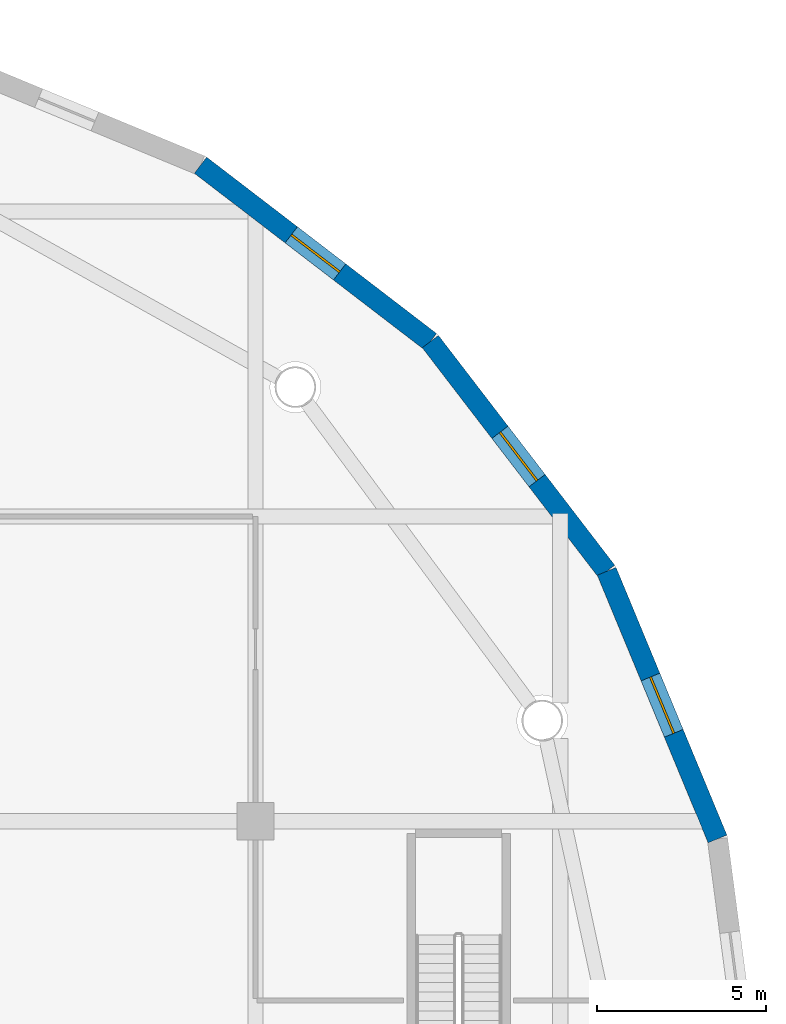
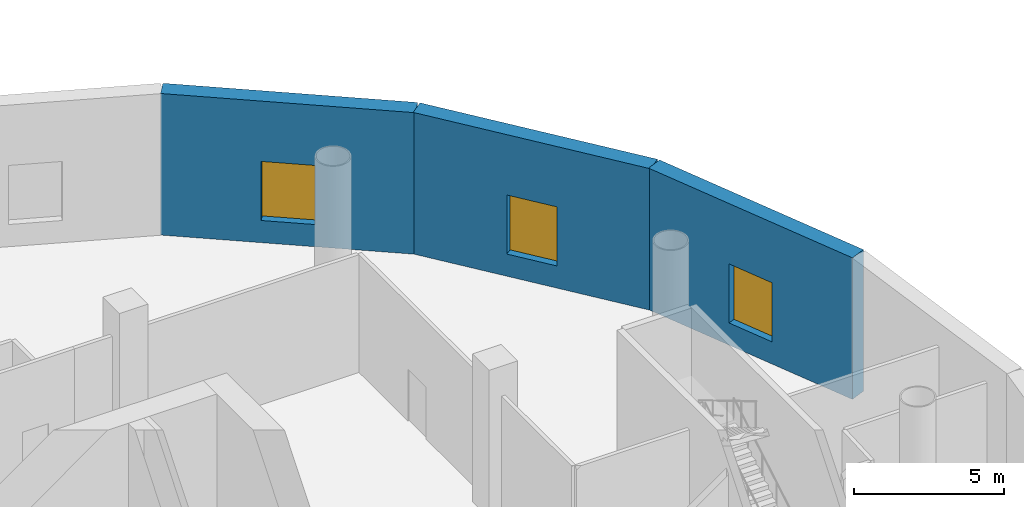
# One storey, part 11 of 24: 3 walls, 3 windows, 3 openings.
"""IFC4 building model written with IfcOpenShell, lengths in metres."""

from ifc_helpers import new_model, si_unit, direction, frame, frame_2d, origin, place, context, subcontext, project, spatial, rectangle, extrude, material, layer, layer_set, type_object, element, fill, save


model = new_model("IFC4")

# Units and contexts
model_context = context("Model", 3, precision=1e-05, world=origin(), true_north=direction((0.0, 1.0)))
body_context = subcontext(model_context, "Body", "Model", "MODEL_VIEW")
ifc_project = project(units=[si_unit("LENGTHUNIT", "METRE"), si_unit("AREAUNIT", "SQUARE_METRE"), si_unit("VOLUMEUNIT", "CUBIC_METRE"), si_unit("PLANEANGLEUNIT", "RADIAN"), si_unit("MASSUNIT", "GRAM", prefix="KILO")], contexts=[model_context])

# Site, building, storey
site_placement = place(None, origin())
site = spatial("IfcSite", under=ifc_project, at=site_placement, CompositionType="ELEMENT")
building_placement = place(site_placement, origin())
building = spatial("IfcBuilding", under=site, at=building_placement, Name="Tarsis Ring Headquarters", CompositionType="ELEMENT")
storey_placement = place(building_placement, frame((0.0, 0.0, 8.0)))
storey = spatial("IfcBuildingStorey", under=building, at=storey_placement, Name="L01", CompositionType="ELEMENT", Elevation=8.0)

# Wall, opening, window
ifc_material_1 = material(Name="Concrete C60/75", Category="concrete")
ifc_layer = layer(ifc_material_1, 0.60009765625)
ifc_layer_set = layer_set([ifc_layer], Name="PO-W600")
wall_type = type_object("IfcWallType", Name="PO-W600", PredefinedType="SOLIDWALL", material=ifc_layer_set)
wall_1_placement = place(storey_placement, frame((31.6416015625, 8.478271484375, 0.0), z_axis=(0.0, 0.0, 1.0), x_axis=(-0.382674535665, 0.923883217595, 0.0)))
wall_1 = element("IfcWall", 1, at=wall_1_placement, inside=storey, type_object=wall_type, Name="L01 external wall 17", PredefinedType="SOLIDWALL", context=body_context, shape_type="SweptSolid", body=[
    extrude(rectangle(XDim=8.551513671875, YDim=0.60009765625, at=frame_2d((4.27587890625, 0.0))), origin(), (0.0, 0.0, 1.0), 5.75),
])
opening_1_placement = place(wall_1_placement, frame((3.375732421875, 0.0, 0.89990234375)))
opening_1 = element("IfcOpeningElement", 2, at=opening_1_placement, cuts=wall_1, Name="Opening PO-WN1", PredefinedType="OPENING", context=body_context, shape_type="SweptSolid", body=[
    extrude(rectangle(XDim=1.800048828125, YDim=2.39990234375, at=frame_2d((0.89990234375, 1.199951171875))), frame((0.0, 0.31005859375, 0.0), z_axis=(0.0, -1.0, 0.0), x_axis=(1.0, 0.0, 0.0)), (0.0, 0.0, 1.0), 0.6201171875),
])
ifc_material_2 = material(Name="Double glazing", Category="glass")
window_type = type_object("IfcWindowType", Name="PO-WN1800", PartitioningType="SINGLE_PANEL", PredefinedType="WINDOW", material=ifc_material_2)
window_1_placement = place(opening_1_placement, origin())
window_1 = element("IfcWindow", 3, at=window_1_placement, inside=storey, type_object=window_type, Name="L01 window 17.1", OverallHeight=2.39990234375, OverallWidth=1.800048828125, PartitioningType="SINGLE_PANEL", PredefinedType="WINDOW", context=body_context, shape_type="SweptSolid", body=[
    extrude(rectangle(XDim=1.800048828125, YDim=2.39990234375, at=frame_2d((0.89990234375, 1.199951171875))), frame((0.0, 0.030029296875, 0.0), z_axis=(0.0, -1.0, 0.0), x_axis=(1.0, 0.0, 0.0)), (0.0, 0.0, 1.0), 0.06005859375),
])
fill(opening_1, window_1)

wall_2_placement = place(storey_placement, frame((28.369140625, 16.37890625, 0.0), z_axis=(0.0, 0.0, 1.0), x_axis=(-0.608756942646, 0.793356782778, 0.0)))
wall_2 = element("IfcWall", 4, at=wall_2_placement, inside=storey, type_object=wall_type, Name="L01 external wall 18", PredefinedType="SOLIDWALL", context=body_context, shape_type="SweptSolid", body=[
    extrude(rectangle(XDim=8.551513671875, YDim=0.60009765625, at=frame_2d((4.27587890625, 0.0))), origin(), (0.0, 0.0, 1.0), 5.75),
])
opening_2_placement = place(wall_2_placement, frame((3.375732421875, 0.0, 0.89990234375)))
opening_2 = element("IfcOpeningElement", 5, at=opening_2_placement, cuts=wall_2, Name="Opening PO-WN1", PredefinedType="OPENING", context=body_context, shape_type="SweptSolid", body=[
    extrude(rectangle(XDim=1.800048828125, YDim=2.39990234375, at=frame_2d((0.89990234375, 1.199951171875))), frame((0.0, 0.31005859375, 0.0), z_axis=(0.0, -1.0, 0.0), x_axis=(1.0, 0.0, 0.0)), (0.0, 0.0, 1.0), 0.6201171875),
])
window_2_placement = place(opening_2_placement, origin())
window_2 = element("IfcWindow", 6, at=window_2_placement, inside=storey, type_object=window_type, Name="L01 window 18.1", OverallHeight=2.39990234375, OverallWidth=1.800048828125, PartitioningType="SINGLE_PANEL", PredefinedType="WINDOW", context=body_context, shape_type="SweptSolid", body=[
    extrude(rectangle(XDim=1.800048828125, YDim=2.39990234375, at=frame_2d((0.89990234375, 1.199951171875))), frame((0.0, 0.030029296875, 0.0), z_axis=(0.0, -1.0, 0.0), x_axis=(1.0, 0.0, 0.0)), (0.0, 0.0, 1.0), 0.06005859375),
])
fill(opening_2, window_2)

wall_3_placement = place(storey_placement, frame((23.163330078125, 23.163330078125, 0.0), z_axis=(0.0, 0.0, 1.0), x_axis=(-0.793356782778, 0.608756942646, 0.0)))
wall_3 = element("IfcWall", 7, at=wall_3_placement, inside=storey, type_object=wall_type, Name="L01 external wall 19", PredefinedType="SOLIDWALL", context=body_context, shape_type="SweptSolid", body=[
    extrude(rectangle(XDim=8.551513671875, YDim=0.60009765625, at=frame_2d((4.27587890625, 0.0))), origin(), (0.0, 0.0, 1.0), 5.75),
])
opening_3_placement = place(wall_3_placement, frame((3.375732421875, 0.0, 0.89990234375)))
opening_3 = element("IfcOpeningElement", 8, at=opening_3_placement, cuts=wall_3, Name="Opening PO-WN1", PredefinedType="OPENING", context=body_context, shape_type="SweptSolid", body=[
    extrude(rectangle(XDim=1.800048828125, YDim=2.39990234375, at=frame_2d((0.89990234375, 1.199951171875))), frame((0.0, 0.31005859375, 0.0), z_axis=(0.0, -1.0, 0.0), x_axis=(1.0, 0.0, 0.0)), (0.0, 0.0, 1.0), 0.6201171875),
])
window_3_placement = place(opening_3_placement, origin())
window_3 = element("IfcWindow", 9, at=window_3_placement, inside=storey, type_object=window_type, Name="L01 window 19.1", OverallHeight=2.39990234375, OverallWidth=1.800048828125, PartitioningType="SINGLE_PANEL", PredefinedType="WINDOW", context=body_context, shape_type="SweptSolid", body=[
    extrude(rectangle(XDim=1.800048828125, YDim=2.39990234375, at=frame_2d((0.89990234375, 1.199951171875))), frame((0.0, 0.030029296875, 0.0), z_axis=(0.0, -1.0, 0.0), x_axis=(1.0, 0.0, 0.0)), (0.0, 0.0, 1.0), 0.06005859375),
])
fill(opening_3, window_3)

save(model, "model.ifc")
